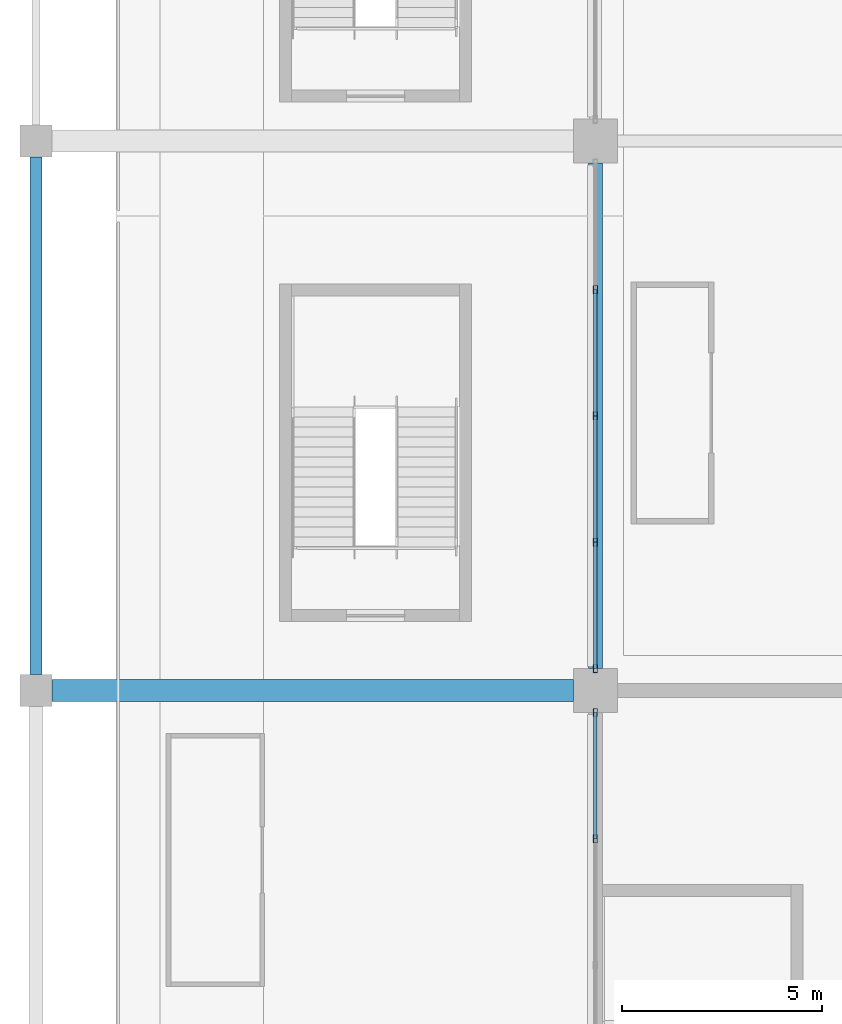
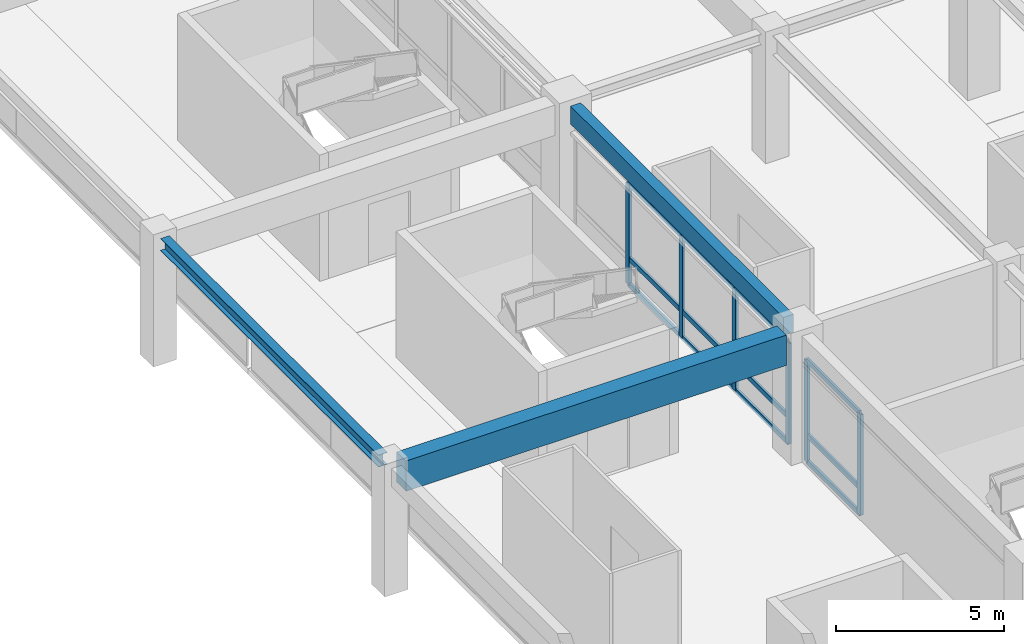
# One storey, part 27 of 91: 18 members, 3 beams, 2 elements without a shape of their own.
"""IFC4 building model written with IfcOpenShell, lengths in metres."""

from ifc_helpers import new_model, si_unit, direction, frame, origin, origin_2d, place, context, subcontext, project, spatial, rectangle, hollow_rectangle, i_section, extrude, material, material_profile, profile_set, type_object, element, aggregate, save


model = new_model("IFC4")

# Units and contexts
model_context = context("Model", 3, precision=1e-05, world=origin(), true_north=direction((0.0, 1.0)))
body_context = subcontext(model_context, "Body", "Model", "MODEL_VIEW")
ifc_project = project(units=[si_unit("LENGTHUNIT", "METRE"), si_unit("AREAUNIT", "SQUARE_METRE"), si_unit("VOLUMEUNIT", "CUBIC_METRE"), si_unit("PLANEANGLEUNIT", "RADIAN"), si_unit("MASSUNIT", "GRAM", prefix="KILO")], contexts=[model_context])

# Site, building, storey
site_placement = place(None, origin())
site = spatial("IfcSite", under=ifc_project, at=site_placement, CompositionType="ELEMENT")
building_placement = place(site_placement, origin())
building = spatial("IfcBuilding", under=site, at=building_placement, Name="Linyun Crest Stadium", CompositionType="ELEMENT")
storey_placement = place(building_placement, frame((0.0, 0.0, 11.39990234375)))
storey = spatial("IfcBuildingStorey", under=building, at=storey_placement, Name="L03", CompositionType="ELEMENT", Elevation=11.39990234375)

# Beams
ifc_material_1 = material(Name="Concrete C40", Category="concrete")
ifc_material_profile_1 = material_profile(ifc_material_1, rectangle(XDim=0.35009765625, YDim=0.64990234375, at=origin_2d()), Name="RCB 650x350")
ifc_profile_set_1 = profile_set([ifc_material_profile_1], Name="Concrete C40")
beam_type_1 = type_object("IfcBeamType", Name="B02", PredefinedType="BEAM", material=ifc_profile_set_1)
beam_1_placement = place(storey_placement, frame((-84.0, -24.824951171875, 4.255126953125), z_axis=(0.0, 1.0, 0.0), x_axis=(-1.0, 0.0, 0.0)))
element("IfcBeam", 1, at=beam_1_placement, inside=storey, type_object=beam_type_1, Name="Frame beam B02 L03 271", PredefinedType="BEAM", context=body_context, shape_type="SweptSolid", body=[
    extrude(rectangle(XDim=0.35009765625, YDim=0.64990234375, at=origin_2d()), origin(), (0.0, 0.0, 1.0), 12.64990234375),
])
ifc_material_2 = material(Name="Steel Q355C", Category="steel")
ifc_material_profile_2 = material_profile(ifc_material_2, i_section(OverallWidth=0.300048828125, OverallDepth=0.43994140625, WebThickness=0.010986328125, FlangeThickness=0.01806640625, at=origin_2d()), Name="HM 440x300")
ifc_profile_set_2 = profile_set([ifc_material_profile_2], Name="Steel Q355C")
beam_type_2 = type_object("IfcBeamType", Name="B07", PredefinedType="BEAM", material=ifc_profile_set_2)
beam_2_placement = place(storey_placement, frame((-98.0, -24.97509765625, 4.360107421875), z_axis=(0.0, 1.0, 0.0), x_axis=(-1.0, 0.0, 0.0)))
element("IfcBeam", 2, at=beam_2_placement, inside=storey, type_object=beam_type_2, Name="Frame beam B07 L03 265", PredefinedType="BEAM", context=body_context, shape_type="SweptSolid", body=[
    extrude(i_section(OverallWidth=0.300048828125, OverallDepth=0.43994140625, WebThickness=0.010986328125, FlangeThickness=0.01806640625, at=origin_2d()), origin(), (0.0, 0.0, 1.0), 12.9501953125),
])

# Curtain wall, members
ifc_material_3 = material(Name="Verdigris steel and low-E curtain wall assembly", Category="steel")
curtain_wall_type = type_object("IfcCurtainWallType", Name="MCW02", PredefinedType="NOTDEFINED", material=ifc_material_3)
curtain_wall_1_placement = place(storey_placement, origin())
curtain_wall_1 = element("IfcCurtainWall", 3, at=curtain_wall_1_placement, inside=storey, type_object=curtain_wall_type, Name="CWR-074", PredefinedType="NOTDEFINED")
ifc_material_4 = material(Name="Verdigris painted steel Q355C mullion", Category="steel")
ifc_material_profile_3 = material_profile(ifc_material_4, hollow_rectangle(XDim=0.10009765625, YDim=0.199951171875, WallThickness=0.008056640625, at=origin_2d()), Name="RHS 200x100x8")
ifc_profile_set_3 = profile_set([ifc_material_profile_3], Name="Verdigris painted steel Q355C mullion")
member_type_1 = type_object("IfcMemberType", Name="ML03", PredefinedType="MULLION", material=ifc_profile_set_3)
member_1_placement = place(storey_placement, frame((-84.0, -29.087890625, 0.0), z_axis=(0.0, 0.0, 1.0), x_axis=(-1.0, 0.0, 0.0)))
member_1 = element("IfcMember", 4, at=member_1_placement, type_object=member_type_1, Name="CWR-074 mullion 4", PredefinedType="MULLION", context=body_context, shape_type="SweptSolid", body=[
    extrude(hollow_rectangle(XDim=0.10009765625, YDim=0.199951171875, WallThickness=0.008056640625, at=origin_2d()), origin(), (0.0, 0.0, 1.0), 3.650146484375),
])
member_2_placement = place(storey_placement, frame((-84.0, -25.925048828125, 0.0), z_axis=(0.0, 0.0, 1.0), x_axis=(-1.0, 0.0, 0.0)))
member_2 = element("IfcMember", 5, at=member_2_placement, type_object=member_type_1, Name="CWR-074 mullion 5", PredefinedType="MULLION", context=body_context, shape_type="SweptSolid", body=[
    extrude(hollow_rectangle(XDim=0.10009765625, YDim=0.199951171875, WallThickness=0.008056640625, at=origin_2d()), origin(), (0.0, 0.0, 1.0), 3.650146484375),
])

curtain_wall_2_placement = place(storey_placement, origin())
curtain_wall_2 = element("IfcCurtainWall", 6, at=curtain_wall_2_placement, inside=storey, type_object=curtain_wall_type, Name="CWR-083", PredefinedType="NOTDEFINED")
member_3_placement = place(storey_placement, frame((-84.0, -24.824951171875, 0.0), z_axis=(0.0, 0.0, 1.0), x_axis=(-1.0, 0.0, 0.0)))
member_3 = element("IfcMember", 7, at=member_3_placement, type_object=member_type_1, Name="CWR-083 mullion 1", PredefinedType="MULLION", context=body_context, shape_type="SweptSolid", body=[
    extrude(hollow_rectangle(XDim=0.10009765625, YDim=0.199951171875, WallThickness=0.008056640625, at=origin_2d()), origin(), (0.0, 0.0, 1.0), 3.650146484375),
])
member_4_placement = place(storey_placement, frame((-84.0, -21.662109375, 0.0), z_axis=(0.0, 0.0, 1.0), x_axis=(-1.0, 0.0, 0.0)))
member_4 = element("IfcMember", 8, at=member_4_placement, type_object=member_type_1, Name="CWR-083 mullion 2", PredefinedType="MULLION", context=body_context, shape_type="SweptSolid", body=[
    extrude(hollow_rectangle(XDim=0.10009765625, YDim=0.199951171875, WallThickness=0.008056640625, at=origin_2d()), origin(), (0.0, 0.0, 1.0), 3.650146484375),
])
member_5_placement = place(storey_placement, frame((-84.0, -18.5, 0.0), z_axis=(0.0, 0.0, 1.0), x_axis=(-1.0, 0.0, 0.0)))
member_5 = element("IfcMember", 9, at=member_5_placement, type_object=member_type_1, Name="CWR-083 mullion 3", PredefinedType="MULLION", context=body_context, shape_type="SweptSolid", body=[
    extrude(hollow_rectangle(XDim=0.10009765625, YDim=0.199951171875, WallThickness=0.008056640625, at=origin_2d()), origin(), (0.0, 0.0, 1.0), 3.650146484375),
])
member_6_placement = place(storey_placement, frame((-84.0, -15.337890625, 0.0), z_axis=(0.0, 0.0, 1.0), x_axis=(-1.0, 0.0, 0.0)))
member_6 = element("IfcMember", 10, at=member_6_placement, type_object=member_type_1, Name="CWR-083 mullion 4", PredefinedType="MULLION", context=body_context, shape_type="SweptSolid", body=[
    extrude(hollow_rectangle(XDim=0.10009765625, YDim=0.199951171875, WallThickness=0.008056640625, at=origin_2d()), origin(), (0.0, 0.0, 1.0), 3.650146484375),
])

# Beam
ifc_material_5 = material(Name="Concrete C50", Category="concrete")
ifc_material_profile_4 = material_profile(ifc_material_5, rectangle(XDim=0.550048828125, YDim=1.10009765625, at=origin_2d()), Name="RCB 1100x550")
ifc_profile_set_4 = profile_set([ifc_material_profile_4], Name="Concrete C50")
beam_type_3 = type_object("IfcBeamType", Name="TB01", PredefinedType="USERDEFINED", material=ifc_profile_set_4)
beam_3_placement = place(storey_placement, frame((-97.60009765625, -25.375, 4.030029296875), z_axis=(1.0, 0.0, 0.0), x_axis=(0.0, 1.0, 0.0)))
element("IfcBeam", 11, at=beam_3_placement, inside=storey, type_object=beam_type_3, Name="Frame beam TB01 L03 234", ObjectType="GIRDER", PredefinedType="USERDEFINED", context=body_context, shape_type="SweptSolid", body=[
    extrude(rectangle(XDim=0.550048828125, YDim=1.10009765625, at=origin_2d()), origin(), (0.0, 0.0, 1.0), 13.050048828125),
])

# Member
ifc_material_6 = material(Name="Verdigris painted steel Q355B transom", Category="steel")
ifc_material_profile_5 = material_profile(ifc_material_6, hollow_rectangle(XDim=0.080078125, YDim=0.179931640625, WallThickness=0.006103515625, at=origin_2d()), Name="RHS 180x80x6")
ifc_profile_set_5 = profile_set([ifc_material_profile_5], Name="Verdigris painted steel Q355B transom")
member_type_2 = type_object("IfcMemberType", Name="TR02", PredefinedType="USERDEFINED", material=ifc_profile_set_5)
member_7_placement = place(storey_placement, frame((-84.0, -29.087890625, 0.0), z_axis=(0.0, 1.0, 0.0), x_axis=(-1.0, 0.0, 0.0)))
member_7 = element("IfcMember", 12, at=member_7_placement, type_object=member_type_2, Name="CWR-074 transom 4.1", ObjectType="TRANSOM", PredefinedType="USERDEFINED", context=body_context, shape_type="SweptSolid", body=[
    extrude(hollow_rectangle(XDim=0.080078125, YDim=0.179931640625, WallThickness=0.006103515625, at=origin_2d()), origin(), (0.0, 0.0, 1.0), 3.162841796875),
])

member_8_placement = place(storey_placement, frame((-84.0, -29.087890625, 0.9501953125), z_axis=(0.0, 1.0, 0.0), x_axis=(-1.0, 0.0, 0.0)))
member_8 = element("IfcMember", 13, at=member_8_placement, type_object=member_type_2, Name="CWR-074 transom 4.2", ObjectType="TRANSOM", PredefinedType="USERDEFINED", context=body_context, shape_type="SweptSolid", body=[
    extrude(hollow_rectangle(XDim=0.080078125, YDim=0.179931640625, WallThickness=0.006103515625, at=origin_2d()), origin(), (0.0, 0.0, 1.0), 3.162841796875),
])

member_9_placement = place(storey_placement, frame((-84.0, -29.087890625, 3.650146484375), z_axis=(0.0, 1.0, 0.0), x_axis=(-1.0, 0.0, 0.0)))
member_9 = element("IfcMember", 14, at=member_9_placement, type_object=member_type_2, Name="CWR-074 transom 4.3", ObjectType="TRANSOM", PredefinedType="USERDEFINED", context=body_context, shape_type="SweptSolid", body=[
    extrude(hollow_rectangle(XDim=0.080078125, YDim=0.179931640625, WallThickness=0.006103515625, at=origin_2d()), origin(), (0.0, 0.0, 1.0), 3.162841796875),
])

aggregate(curtain_wall_1, [member_1, member_2, member_7, member_8, member_9])

member_10_placement = place(storey_placement, frame((-84.0, -24.824951171875, 0.0), z_axis=(0.0, 1.0, 0.0), x_axis=(-1.0, 0.0, 0.0)))
member_10 = element("IfcMember", 15, at=member_10_placement, type_object=member_type_2, Name="CWR-083 transom 1.1", ObjectType="TRANSOM", PredefinedType="USERDEFINED", context=body_context, shape_type="SweptSolid", body=[
    extrude(hollow_rectangle(XDim=0.080078125, YDim=0.179931640625, WallThickness=0.006103515625, at=origin_2d()), origin(), (0.0, 0.0, 1.0), 3.162841796875),
])

member_11_placement = place(storey_placement, frame((-84.0, -24.824951171875, 0.9501953125), z_axis=(0.0, 1.0, 0.0), x_axis=(-1.0, 0.0, 0.0)))
member_11 = element("IfcMember", 16, at=member_11_placement, type_object=member_type_2, Name="CWR-083 transom 1.2", ObjectType="TRANSOM", PredefinedType="USERDEFINED", context=body_context, shape_type="SweptSolid", body=[
    extrude(hollow_rectangle(XDim=0.080078125, YDim=0.179931640625, WallThickness=0.006103515625, at=origin_2d()), origin(), (0.0, 0.0, 1.0), 3.162841796875),
])

member_12_placement = place(storey_placement, frame((-84.0, -24.824951171875, 3.650146484375), z_axis=(0.0, 1.0, 0.0), x_axis=(-1.0, 0.0, 0.0)))
member_12 = element("IfcMember", 17, at=member_12_placement, type_object=member_type_2, Name="CWR-083 transom 1.3", ObjectType="TRANSOM", PredefinedType="USERDEFINED", context=body_context, shape_type="SweptSolid", body=[
    extrude(hollow_rectangle(XDim=0.080078125, YDim=0.179931640625, WallThickness=0.006103515625, at=origin_2d()), origin(), (0.0, 0.0, 1.0), 3.162841796875),
])

member_13_placement = place(storey_placement, frame((-84.0, -21.662109375, 0.0), z_axis=(0.0, 1.0, 0.0), x_axis=(-1.0, 0.0, 0.0)))
member_13 = element("IfcMember", 18, at=member_13_placement, type_object=member_type_2, Name="CWR-083 transom 2.1", ObjectType="TRANSOM", PredefinedType="USERDEFINED", context=body_context, shape_type="SweptSolid", body=[
    extrude(hollow_rectangle(XDim=0.080078125, YDim=0.179931640625, WallThickness=0.006103515625, at=origin_2d()), origin(), (0.0, 0.0, 1.0), 3.162109375),
])

member_14_placement = place(storey_placement, frame((-84.0, -21.662109375, 0.9501953125), z_axis=(0.0, 1.0, 0.0), x_axis=(-1.0, 0.0, 0.0)))
member_14 = element("IfcMember", 19, at=member_14_placement, type_object=member_type_2, Name="CWR-083 transom 2.2", ObjectType="TRANSOM", PredefinedType="USERDEFINED", context=body_context, shape_type="SweptSolid", body=[
    extrude(hollow_rectangle(XDim=0.080078125, YDim=0.179931640625, WallThickness=0.006103515625, at=origin_2d()), origin(), (0.0, 0.0, 1.0), 3.162109375),
])

member_15_placement = place(storey_placement, frame((-84.0, -21.662109375, 3.650146484375), z_axis=(0.0, 1.0, 0.0), x_axis=(-1.0, 0.0, 0.0)))
member_15 = element("IfcMember", 20, at=member_15_placement, type_object=member_type_2, Name="CWR-083 transom 2.3", ObjectType="TRANSOM", PredefinedType="USERDEFINED", context=body_context, shape_type="SweptSolid", body=[
    extrude(hollow_rectangle(XDim=0.080078125, YDim=0.179931640625, WallThickness=0.006103515625, at=origin_2d()), origin(), (0.0, 0.0, 1.0), 3.162109375),
])

member_16_placement = place(storey_placement, frame((-84.0, -18.5, 0.0), z_axis=(0.0, 1.0, 0.0), x_axis=(-1.0, 0.0, 0.0)))
member_16 = element("IfcMember", 21, at=member_16_placement, type_object=member_type_2, Name="CWR-083 transom 3.1", ObjectType="TRANSOM", PredefinedType="USERDEFINED", context=body_context, shape_type="SweptSolid", body=[
    extrude(hollow_rectangle(XDim=0.080078125, YDim=0.179931640625, WallThickness=0.006103515625, at=origin_2d()), origin(), (0.0, 0.0, 1.0), 3.162109375),
])

member_17_placement = place(storey_placement, frame((-84.0, -18.5, 0.9501953125), z_axis=(0.0, 1.0, 0.0), x_axis=(-1.0, 0.0, 0.0)))
member_17 = element("IfcMember", 22, at=member_17_placement, type_object=member_type_2, Name="CWR-083 transom 3.2", ObjectType="TRANSOM", PredefinedType="USERDEFINED", context=body_context, shape_type="SweptSolid", body=[
    extrude(hollow_rectangle(XDim=0.080078125, YDim=0.179931640625, WallThickness=0.006103515625, at=origin_2d()), origin(), (0.0, 0.0, 1.0), 3.162109375),
])

member_18_placement = place(storey_placement, frame((-84.0, -18.5, 3.650146484375), z_axis=(0.0, 1.0, 0.0), x_axis=(-1.0, 0.0, 0.0)))
member_18 = element("IfcMember", 23, at=member_18_placement, type_object=member_type_2, Name="CWR-083 transom 3.3", ObjectType="TRANSOM", PredefinedType="USERDEFINED", context=body_context, shape_type="SweptSolid", body=[
    extrude(hollow_rectangle(XDim=0.080078125, YDim=0.179931640625, WallThickness=0.006103515625, at=origin_2d()), origin(), (0.0, 0.0, 1.0), 3.162109375),
])

aggregate(curtain_wall_2, [member_3, member_4, member_5, member_6, member_10, member_11, member_12, member_13, member_14, member_15, member_16, member_17, member_18])

save(model, "model.ifc")
